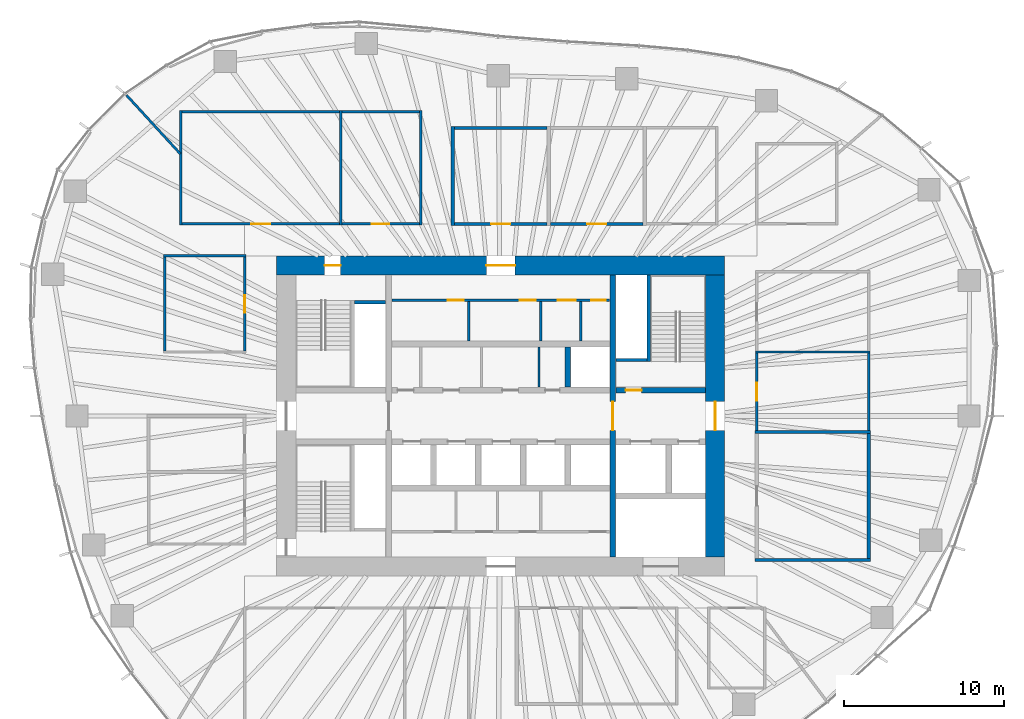
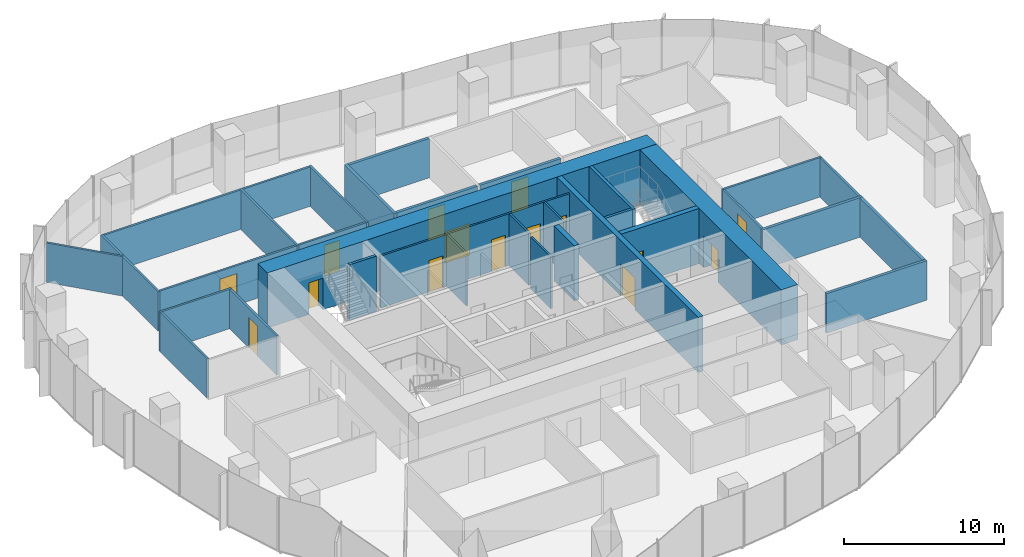
# One storey, part 10 of 18: 34 walls, 15 doors, 15 openings.
"""IFC4 building model written with IfcOpenShell, lengths in metres."""

from ifc_helpers import new_model, si_unit, direction, frame, frame_2d, origin, place, context, subcontext, project, spatial, rectangle, extrude, material, layer, layer_set, type_object, element, fill, save


model = new_model("IFC4")

# Units and contexts
model_context = context("Model", 3, precision=1e-05, world=origin(), true_north=direction((0.0, 1.0)))
body_context = subcontext(model_context, "Body", "Model", "MODEL_VIEW")
ifc_project = project(units=[si_unit("LENGTHUNIT", "METRE"), si_unit("AREAUNIT", "SQUARE_METRE"), si_unit("VOLUMEUNIT", "CUBIC_METRE"), si_unit("PLANEANGLEUNIT", "RADIAN"), si_unit("MASSUNIT", "GRAM", prefix="KILO")], contexts=[model_context])

# Site, building, storey
site_placement = place(None, origin())
site = spatial("IfcSite", under=ifc_project, at=site_placement, CompositionType="ELEMENT")
building_placement = place(site_placement, origin())
building = spatial("IfcBuilding", under=site, at=building_placement, Name="Ghaith Harvest Tower", CompositionType="ELEMENT")
storey_placement = place(building_placement, frame((0.0, 0.0, 155.39990234375)))
storey = spatial("IfcBuildingStorey", under=building, at=storey_placement, Name="L33", CompositionType="ELEMENT", Elevation=155.39990234375)

# Wall
ifc_material_1 = material(Name="Twin-stud gypsum board, acoustic", Category="gypsum")
ifc_layer_1 = layer(ifc_material_1, 0.199951171875)
ifc_layer_set_1 = layer_set([ifc_layer_1], Name="ACOUSTIC PARTITION 200")
wall_type_1 = type_object("IfcWallType", Name="ACOUSTIC PARTITION 200", PredefinedType="PARTITIONING", material=ifc_layer_set_1)
wall_1_placement = place(storey_placement, frame((-3.0, 11.89990234375, 0.0), z_axis=(0.0, 0.0, 1.0), x_axis=(0.0, 1.0, 0.0)))
element("IfcWall", 1, at=wall_1_placement, inside=storey, type_object=wall_type_1, Name="Partition L33 row N4 cross wall 1", PredefinedType="PARTITIONING", context=body_context, shape_type="SweptSolid", body=[
    extrude(rectangle(XDim=6.2001953125, YDim=0.199951171875, at=frame_2d((3.10009765625, 0.0))), origin(), (0.0, 0.0, 1.0), 3.0),
])

# Wall, opening, door
wall_2_placement = place(storey_placement, frame((-2.89990234375, 12.0, 0.0), z_axis=(0.0, 0.0, 1.0), x_axis=(1.0, 0.0, 0.0)))
wall_2 = element("IfcWall", 2, at=wall_2_placement, inside=storey, type_object=wall_type_1, Name="Partition L33-07", PredefinedType="PARTITIONING", context=body_context, shape_type="SweptSolid", body=[
    extrude(rectangle(XDim=5.7998046875, YDim=0.199951171875, at=frame_2d((2.89990234375, 0.0))), origin(), (0.0, 0.0, 1.0), 3.0),
])
opening_1_placement = place(wall_2_placement, frame((2.300048828125, 0.0, 0.0)))
opening_1 = element("IfcOpeningElement", 3, at=opening_1_placement, cuts=wall_2, Name="Opening 33-035", PredefinedType="OPENING", context=body_context, shape_type="SweptSolid", body=[
    extrude(rectangle(XDim=1.199951171875, YDim=2.39990234375, at=frame_2d((0.60009765625, 1.199951171875))), frame((0.0, 0.10986328125, 0.0), z_axis=(0.0, -1.0, 0.0), x_axis=(1.0, 0.0, 0.0)), (0.0, 0.0, 1.0), 0.219970703125),
])
ifc_material_2 = material(Name="Timber door", Category="wood")
door_type_1 = type_object("IfcDoorType", Name="D11 GLAZED 1200x2400", OperationType="SINGLE_SWING_LEFT", PredefinedType="DOOR", material=ifc_material_2)
door_1_placement = place(opening_1_placement, origin())
door_1 = element("IfcDoor", 4, at=door_1_placement, inside=storey, type_object=door_type_1, Name="Meeting room door", OperationType="SINGLE_SWING_LEFT", OverallHeight=2.39990234375, OverallWidth=1.199951171875, PredefinedType="DOOR", context=body_context, shape_type="SweptSolid", body=[
    extrude(rectangle(XDim=1.199951171875, YDim=2.39990234375, at=frame_2d((0.60009765625, 1.199951171875))), frame((0.0, 0.02490234375, 0.0), z_axis=(0.0, -1.0, 0.0), x_axis=(1.0, 0.0, 0.0)), (0.0, 0.0, 1.0), 0.050048828125),
])
fill(opening_1, door_1)

# Wall
wall_3_placement = place(storey_placement, frame((-2.89990234375, 18.0, 0.0), z_axis=(0.0, 0.0, 1.0), x_axis=(1.0, 0.0, 0.0)))
element("IfcWall", 5, at=wall_3_placement, inside=storey, type_object=wall_type_1, Name="Partition L33-07", PredefinedType="PARTITIONING", context=body_context, shape_type="SweptSolid", body=[
    extrude(rectangle(XDim=5.7998046875, YDim=0.199951171875, at=frame_2d((2.89990234375, 0.0))), origin(), (0.0, 0.0, 1.0), 3.0),
])

# Wall, opening, door
wall_4_placement = place(storey_placement, frame((3.10009765625, 12.0, 0.0), z_axis=(0.0, 0.0, 1.0), x_axis=(1.0, 0.0, 0.0)))
wall_4 = element("IfcWall", 6, at=wall_4_placement, inside=storey, type_object=wall_type_1, Name="Partition L33-08", PredefinedType="PARTITIONING", context=body_context, shape_type="SweptSolid", body=[
    extrude(rectangle(XDim=5.7998046875, YDim=0.199951171875, at=frame_2d((2.89990234375, 0.0))), origin(), (0.0, 0.0, 1.0), 3.0),
])
opening_2_placement = place(wall_4_placement, frame((2.300048828125, 0.0, 0.0)))
opening_2 = element("IfcOpeningElement", 7, at=opening_2_placement, cuts=wall_4, Name="Opening 33-036", PredefinedType="OPENING", context=body_context, shape_type="SweptSolid", body=[
    extrude(rectangle(XDim=1.199951171875, YDim=2.39990234375, at=frame_2d((0.60009765625, 1.199951171875))), frame((0.0, 0.10986328125, 0.0), z_axis=(0.0, -1.0, 0.0), x_axis=(1.0, 0.0, 0.0)), (0.0, 0.0, 1.0), 0.219970703125),
])
door_2_placement = place(opening_2_placement, origin())
door_2 = element("IfcDoor", 8, at=door_2_placement, inside=storey, type_object=door_type_1, Name="Meeting room door", OperationType="SINGLE_SWING_LEFT", OverallHeight=2.39990234375, OverallWidth=1.199951171875, PredefinedType="DOOR", context=body_context, shape_type="SweptSolid", body=[
    extrude(rectangle(XDim=1.199951171875, YDim=2.39990234375, at=frame_2d((0.60009765625, 1.199951171875))), frame((0.0, 0.02490234375, 0.0), z_axis=(0.0, -1.0, 0.0), x_axis=(1.0, 0.0, 0.0)), (0.0, 0.0, 1.0), 0.050048828125),
])
fill(opening_2, door_2)

# Walls
for number, where, z_axis, x_axis, name in (
    (9, (15.89990234375, -9.0, 0.0), (0.0, 0.0, 1.0), (1.0, 0.0, 0.0), "Partition L33 row E5 cross wall 1"),
    (10, (15.89990234375, -1.0, 0.0), (0.0, 0.0, 1.0), (1.0, 0.0, 0.0), "Partition L33 row E5 cross wall 2"),
):
    element("IfcWall", number, at=place(storey_placement, frame(where, z_axis=z_axis, x_axis=x_axis)), inside=storey, type_object=wall_type_1, Name=name, PredefinedType="PARTITIONING", context=body_context, shape_type="SweptSolid", body=[
        extrude(rectangle(XDim=7.2001953125, YDim=0.199951171875, at=frame_2d((3.60009765625, 0.0))), origin(), (0.0, 0.0, 1.0), 3.0),
    ])
wall_5_placement = place(storey_placement, frame((23.0, -8.89990234375, 0.0), z_axis=(0.0, 0.0, 1.0), x_axis=(0.0, 1.0, 0.0)))
element("IfcWall", 11, at=wall_5_placement, inside=storey, type_object=wall_type_1, Name="Partition L33-10", PredefinedType="PARTITIONING", context=body_context, shape_type="SweptSolid", body=[
    extrude(rectangle(XDim=7.7998046875, YDim=0.199951171875, at=frame_2d((3.89990234375, 0.0))), origin(), (0.0, 0.0, 1.0), 3.0),
])

# Wall, openings, doors
ifc_material_3 = material(Name="Concrete blockwork, fair-faced", Category="masonry")
ifc_layer_2 = layer(ifc_material_3, 0.139892578125)
ifc_layer_set_2 = layer_set([ifc_layer_2], Name="CORE PARTITION 140")
wall_type_2 = type_object("IfcWallType", Name="CORE PARTITION 140", PredefinedType="PARTITIONING", material=ifc_layer_set_2)
wall_6_placement = place(storey_placement, frame((-6.800048828125, 7.22998046875, 0.0), z_axis=(0.0, 0.0, 1.0), x_axis=(1.0, 0.0, 0.0)))
wall_6 = element("IfcWall", 12, at=wall_6_placement, inside=storey, type_object=wall_type_2, Name="Core partition L33", PredefinedType="PARTITIONING", context=body_context, shape_type="SweptSolid", body=[
    extrude(rectangle(XDim=13.60009765625, YDim=0.139892578125, at=frame_2d((6.800048828125, 0.0))), origin(), (0.0, 0.0, 1.0), 3.9501953125),
])
opening_3_placement = place(wall_6_placement, frame((3.47998046875, 0.0, 0.0)))
opening_3 = element("IfcOpeningElement", 13, at=opening_3_placement, cuts=wall_6, Name="Opening 33-008", PredefinedType="OPENING", context=body_context, shape_type="SweptSolid", body=[
    extrude(rectangle(XDim=1.0, YDim=2.39990234375, at=frame_2d((0.5, 1.199951171875))), frame((0.0, 0.080078125, 0.0), z_axis=(0.0, -1.0, 0.0), x_axis=(1.0, 0.0, 0.0)), (0.0, 0.0, 1.0), 0.159912109375),
])
opening_4_placement = place(wall_6_placement, frame((7.97998046875, 0.0, 0.0)))
opening_4 = element("IfcOpeningElement", 14, at=opening_4_placement, cuts=wall_6, Name="Opening 33-009", PredefinedType="OPENING", context=body_context, shape_type="SweptSolid", body=[
    extrude(rectangle(XDim=1.0, YDim=2.39990234375, at=frame_2d((0.5, 1.199951171875))), frame((0.0, 0.080078125, 0.0), z_axis=(0.0, -1.0, 0.0), x_axis=(1.0, 0.0, 0.0)), (0.0, 0.0, 1.0), 0.159912109375),
])
opening_5_placement = place(wall_6_placement, frame((10.3798828125, 0.0, 0.0)))
opening_5 = element("IfcOpeningElement", 15, at=opening_5_placement, cuts=wall_6, Name="Opening 33-010", PredefinedType="OPENING", context=body_context, shape_type="SweptSolid", body=[
    extrude(rectangle(XDim=1.10009765625, YDim=2.39990234375, at=frame_2d((0.550048828125, 1.199951171875))), frame((0.0, 0.080078125, 0.0), z_axis=(0.0, -1.0, 0.0), x_axis=(1.0, 0.0, 0.0)), (0.0, 0.0, 1.0), 0.159912109375),
])
opening_6_placement = place(wall_6_placement, frame((12.449951171875, 0.0, 0.0)))
opening_6 = element("IfcOpeningElement", 16, at=opening_6_placement, cuts=wall_6, Name="Opening 33-011", PredefinedType="OPENING", context=body_context, shape_type="SweptSolid", body=[
    extrude(rectangle(XDim=0.89990234375, YDim=2.39990234375, at=frame_2d((0.449951171875, 1.199951171875))), frame((0.0, 0.080078125, 0.0), z_axis=(0.0, -1.0, 0.0), x_axis=(1.0, 0.0, 0.0)), (0.0, 0.0, 1.0), 0.159912109375),
])
ifc_material_4 = material(Name="Steel fire door", Category="steel")
door_type_2 = type_object("IfcDoorType", Name="D3 FD90 1000x2400", OperationType="SINGLE_SWING_LEFT", PredefinedType="DOOR", material=ifc_material_4)
door_3_placement = place(opening_3_placement, origin())
door_3 = element("IfcDoor", 17, at=door_3_placement, inside=storey, type_object=door_type_2, Name="Male WC door", OperationType="SINGLE_SWING_LEFT", OverallHeight=2.39990234375, OverallWidth=1.0, PredefinedType="DOOR", context=body_context, shape_type="SweptSolid", body=[
    extrude(rectangle(XDim=1.0, YDim=2.39990234375, at=frame_2d((0.5, 1.199951171875))), frame((0.0, 0.02490234375, 0.0), z_axis=(0.0, -1.0, 0.0), x_axis=(1.0, 0.0, 0.0)), (0.0, 0.0, 1.0), 0.050048828125),
])
fill(opening_3, door_3)
door_4_placement = place(opening_4_placement, origin())
door_4 = element("IfcDoor", 18, at=door_4_placement, inside=storey, type_object=door_type_2, Name="Female WC door", OperationType="SINGLE_SWING_RIGHT", OverallHeight=2.39990234375, OverallWidth=1.0, PredefinedType="DOOR", context=body_context, shape_type="SweptSolid", body=[
    extrude(rectangle(XDim=1.0, YDim=2.39990234375, at=frame_2d((0.5, 1.199951171875))), frame((0.0, 0.02490234375, 0.0), z_axis=(0.0, -1.0, 0.0), x_axis=(1.0, 0.0, 0.0)), (0.0, 0.0, 1.0), 0.050048828125),
])
fill(opening_4, door_4)
ifc_material_5 = material(Name="Steel fire door", Category="steel")
door_type_3 = type_object("IfcDoorType", Name="D5 FD90 900x2400", OperationType="SINGLE_SWING_LEFT", PredefinedType="DOOR", material=ifc_material_5)
door_5_placement = place(opening_6_placement, origin())
door_5 = element("IfcDoor", 19, at=door_5_placement, inside=storey, type_object=door_type_3, Name="Cleaner's store door", OperationType="SINGLE_SWING_RIGHT", OverallHeight=2.39990234375, OverallWidth=0.89990234375, PredefinedType="DOOR", context=body_context, shape_type="SweptSolid", body=[
    extrude(rectangle(XDim=0.89990234375, YDim=2.39990234375, at=frame_2d((0.449951171875, 1.199951171875))), frame((0.0, 0.02490234375, 0.0), z_axis=(0.0, -1.0, 0.0), x_axis=(1.0, 0.0, 0.0)), (0.0, 0.0, 1.0), 0.050048828125),
])
fill(opening_6, door_5)
ifc_material_6 = material(Name="Steel fire door", Category="steel")
door_type_4 = type_object("IfcDoorType", Name="D9 FD90 1100x2400", OperationType="SINGLE_SWING_LEFT", PredefinedType="DOOR", material=ifc_material_6)
door_6_placement = place(opening_5_placement, origin())
door_6 = element("IfcDoor", 20, at=door_6_placement, inside=storey, type_object=door_type_4, Name="Accessible WC door", OperationType="SINGLE_SWING_RIGHT", OverallHeight=2.39990234375, OverallWidth=1.10009765625, PredefinedType="DOOR", context=body_context, shape_type="SweptSolid", body=[
    extrude(rectangle(XDim=1.10009765625, YDim=2.39990234375, at=frame_2d((0.550048828125, 1.199951171875))), frame((0.0, 0.02490234375, 0.0), z_axis=(0.0, -1.0, 0.0), x_axis=(1.0, 0.0, 0.0)), (0.0, 0.0, 1.0), 0.050048828125),
])
fill(opening_5, door_6)

# Walls
for number, where, z_axis, x_axis, name in (
    (21, (-2.0, 4.699951171875, 0.0), (0.0, 0.0, 1.0), (0.0, 1.0, 0.0), "Core partition L33"),
    (22, (2.5, 4.699951171875, 0.0), (0.0, 0.0, 1.0), (0.0, 1.0, 0.0), "Core partition L33"),
    (23, (5.0, 4.699951171875, 0.0), (0.0, 0.0, 1.0), (0.0, 1.0, 0.0), "Core partition L33"),
):
    element("IfcWall", number, at=place(storey_placement, frame(where, z_axis=z_axis, x_axis=x_axis)), inside=storey, type_object=wall_type_2, Name=name, PredefinedType="PARTITIONING", context=body_context, shape_type="SweptSolid", body=[
        extrude(rectangle(XDim=2.4599609375, YDim=0.139892578125, at=frame_2d((1.22998046875, 0.0))), origin(), (0.0, 0.0, 1.0), 3.9501953125),
    ])
wall_7_placement = place(storey_placement, frame((2.39990234375, 1.800048828125, 0.0), z_axis=(0.0, 0.0, 1.0), x_axis=(0.0, 1.0, 0.0)))
element("IfcWall", 24, at=wall_7_placement, inside=storey, type_object=wall_type_2, Name="Core partition L33", PredefinedType="PARTITIONING", context=body_context, shape_type="SweptSolid", body=[
    extrude(rectangle(XDim=2.5, YDim=0.139892578125, at=frame_2d((1.25, 0.0))), origin(), (0.0, 0.0, 1.0), 3.9501953125),
])

# Wall, openings, doors
ifc_material_7 = material(Name="Concrete C60/75", Category="concrete")
ifc_layer_3 = layer(ifc_material_7, 1.199951171875)
ifc_layer_set_3 = layer_set([ifc_layer_3], Name="CORE WALL CW1200 C60")
wall_type_3 = type_object("IfcWallType", Name="CORE WALL CW1200 C60", PredefinedType="SHEAR", material=ifc_layer_set_3)
wall_8_placement = place(storey_placement, frame((14.0, 9.39990234375, 0.0), z_axis=(0.0, 0.0, 1.0), x_axis=(-1.0, 0.0, 0.0)))
wall_8 = element("IfcWall", 25, at=wall_8_placement, inside=storey, type_object=wall_type_3, Name="Core wall N L33", PredefinedType="SHEAR", context=body_context, shape_type="SweptSolid", body=[
    extrude(rectangle(XDim=28.0, YDim=1.199951171875, at=frame_2d((14.0, 0.0))), origin(), (0.0, 0.0, 1.0), 4.2001953125),
])
opening_7_placement = place(wall_8_placement, frame((24.0, 0.0, 0.0)))
opening_7 = element("IfcOpeningElement", 26, at=opening_7_placement, cuts=wall_8, Name="Opening 33-005", PredefinedType="OPENING", context=body_context, shape_type="SweptSolid", body=[
    extrude(rectangle(XDim=1.0, YDim=2.39990234375, at=frame_2d((0.5, 1.199951171875))), frame((0.0, 0.60986328125, 0.0), z_axis=(0.0, -1.0, 0.0), x_axis=(1.0, 0.0, 0.0)), (0.0, 0.0, 1.0), 1.219970703125),
])
opening_8_placement = place(wall_8_placement, frame((13.10009765625, 0.0, 0.0)))
opening_8 = element("IfcOpeningElement", 27, at=opening_8_placement, cuts=wall_8, Name="Opening 33-020", PredefinedType="OPENING", context=body_context, shape_type="SweptSolid", body=[
    extrude(rectangle(XDim=1.800048828125, YDim=2.39990234375, at=frame_2d((0.89990234375, 1.199951171875))), frame((0.0, 0.60986328125, 0.0), z_axis=(0.0, -1.0, 0.0), x_axis=(1.0, 0.0, 0.0)), (0.0, 0.0, 1.0), 1.219970703125),
])
door_7_placement = place(opening_7_placement, origin())
door_7 = element("IfcDoor", 28, at=door_7_placement, inside=storey, type_object=door_type_2, Name="Stair ST1 door", OperationType="SINGLE_SWING_RIGHT", OverallHeight=2.39990234375, OverallWidth=1.0, PredefinedType="DOOR", context=body_context, shape_type="SweptSolid", body=[
    extrude(rectangle(XDim=1.0, YDim=2.39990234375, at=frame_2d((0.5, 1.199951171875))), frame((0.0, 0.02490234375, 0.0), z_axis=(0.0, -1.0, 0.0), x_axis=(1.0, 0.0, 0.0)), (0.0, 0.0, 1.0), 0.050048828125),
])
fill(opening_7, door_7)
ifc_material_8 = material(Name="Steel fire door", Category="steel")
door_type_5 = type_object("IfcDoorType", Name="D4 FD90 PAIR 1800x2400", OperationType="DOUBLE_DOOR_SINGLE_SWING", PredefinedType="DOOR", material=ifc_material_8)
door_8_placement = place(opening_8_placement, origin())
door_8 = element("IfcDoor", 29, at=door_8_placement, inside=storey, type_object=door_type_5, Name="Core service corridor doors", OperationType="DOUBLE_DOOR_SINGLE_SWING", OverallHeight=2.39990234375, OverallWidth=1.800048828125, PredefinedType="DOOR", context=body_context, shape_type="SweptSolid", body=[
    extrude(rectangle(XDim=1.800048828125, YDim=2.39990234375, at=frame_2d((0.89990234375, 1.199951171875))), frame((0.0, 0.02490234375, 0.0), z_axis=(0.0, -1.0, 0.0), x_axis=(1.0, 0.0, 0.0)), (0.0, 0.0, 1.0), 0.050048828125),
])
fill(opening_8, door_8)

# Wall, opening, door
wall_9_placement = place(storey_placement, frame((13.39990234375, -8.800048828125, 0.0), z_axis=(0.0, 0.0, 1.0), x_axis=(0.0, 1.0, 0.0)))
wall_9 = element("IfcWall", 30, at=wall_9_placement, inside=storey, type_object=wall_type_3, Name="Core wall E L33", PredefinedType="SHEAR", context=body_context, shape_type="SweptSolid", body=[
    extrude(rectangle(XDim=17.60009765625, YDim=1.199951171875, at=frame_2d((8.800048828125, 0.0))), origin(), (0.0, 0.0, 1.0), 4.2001953125),
])
opening_9_placement = place(wall_9_placement, frame((7.89990234375, 0.0, 0.0)))
opening_9 = element("IfcOpeningElement", 31, at=opening_9_placement, cuts=wall_9, Name="Opening 33-002", PredefinedType="OPENING", context=body_context, shape_type="SweptSolid", body=[
    extrude(rectangle(XDim=1.800048828125, YDim=2.39990234375, at=frame_2d((0.89990234375, 1.199951171875))), frame((0.0, 0.60986328125, 0.0), z_axis=(0.0, -1.0, 0.0), x_axis=(1.0, 0.0, 0.0)), (0.0, 0.0, 1.0), 1.219970703125),
])
door_9_placement = place(opening_9_placement, origin())
door_9 = element("IfcDoor", 32, at=door_9_placement, inside=storey, type_object=door_type_5, Name="Fire-fighting lobby doors", OperationType="DOUBLE_DOOR_SINGLE_SWING", OverallHeight=2.39990234375, OverallWidth=1.800048828125, PredefinedType="DOOR", context=body_context, shape_type="SweptSolid", body=[
    extrude(rectangle(XDim=1.800048828125, YDim=2.39990234375, at=frame_2d((0.89990234375, 1.199951171875))), frame((0.0, 0.02490234375, 0.0), z_axis=(0.0, -1.0, 0.0), x_axis=(1.0, 0.0, 0.0)), (0.0, 0.0, 1.0), 0.050048828125),
])
fill(opening_9, door_9)

# Walls
ifc_material_9 = material(Name="Gypsum board on steel studs", Category="steel")
ifc_layer_4 = layer(ifc_material_9, 0.14990234375)
ifc_layer_set_4 = layer_set([ifc_layer_4], Name="PARTITION 150")
wall_type_4 = type_object("IfcWallType", Name="PARTITION 150", PredefinedType="PARTITIONING", material=ifc_layer_set_4)
for number, where, z_axis, x_axis, name in (
    (33, (-20.0, 11.925048828125, 0.0), (0.0, 0.0, 1.0), (0.0, 1.0, 0.0), "Partition L33 row N3 cross wall 1"),
    (34, (-10.0, 11.925048828125, 0.0), (0.0, 0.0, 1.0), (0.0, 1.0, 0.0), "Partition L33 row N3 cross wall 2"),
    (35, (-5.0, 11.925048828125, 0.0), (0.0, 0.0, 1.0), (0.0, 1.0, 0.0), "Partition L33 row N3 cross wall 3"),
):
    element("IfcWall", number, at=place(storey_placement, frame(where, z_axis=z_axis, x_axis=x_axis)), inside=storey, type_object=wall_type_4, Name=name, PredefinedType="PARTITIONING", context=body_context, shape_type="SweptSolid", body=[
        extrude(rectangle(XDim=7.14990234375, YDim=0.14990234375, at=frame_2d((3.574951171875, 0.0))), origin(), (0.0, 0.0, 1.0), 3.0),
    ])

# Wall, opening, door
wall_10_placement = place(storey_placement, frame((-19.925048828125, 12.0, 0.0), z_axis=(0.0, 0.0, 1.0), x_axis=(1.0, 0.0, 0.0)))
wall_10 = element("IfcWall", 36, at=wall_10_placement, inside=storey, type_object=wall_type_4, Name="Partition L33-05", PredefinedType="PARTITIONING", context=body_context, shape_type="SweptSolid", body=[
    extrude(rectangle(XDim=9.85009765625, YDim=0.14990234375, at=frame_2d((4.925048828125, 0.0))), origin(), (0.0, 0.0, 1.0), 3.0),
])
opening_10_placement = place(wall_10_placement, frame((4.324951171875, 0.0, 0.0)))
opening_10 = element("IfcOpeningElement", 37, at=opening_10_placement, cuts=wall_10, Name="Opening 33-033", PredefinedType="OPENING", context=body_context, shape_type="SweptSolid", body=[
    extrude(rectangle(XDim=1.199951171875, YDim=2.39990234375, at=frame_2d((0.60009765625, 1.199951171875))), frame((0.0, 0.0849609375, 0.0), z_axis=(0.0, -1.0, 0.0), x_axis=(1.0, 0.0, 0.0)), (0.0, 0.0, 1.0), 0.169921875),
])
door_10_placement = place(opening_10_placement, origin())
door_10 = element("IfcDoor", 38, at=door_10_placement, inside=storey, type_object=door_type_1, Name="Design studio door", OperationType="SINGLE_SWING_LEFT", OverallHeight=2.39990234375, OverallWidth=1.199951171875, PredefinedType="DOOR", context=body_context, shape_type="SweptSolid", body=[
    extrude(rectangle(XDim=1.199951171875, YDim=2.39990234375, at=frame_2d((0.60009765625, 1.199951171875))), frame((0.0, 0.02490234375, 0.0), z_axis=(0.0, -1.0, 0.0), x_axis=(1.0, 0.0, 0.0)), (0.0, 0.0, 1.0), 0.050048828125),
])
fill(opening_10, door_10)

# Wall
wall_11_placement = place(storey_placement, frame((-19.925048828125, 19.0, 0.0), z_axis=(0.0, 0.0, 1.0), x_axis=(1.0, 0.0, 0.0)))
element("IfcWall", 39, at=wall_11_placement, inside=storey, type_object=wall_type_4, Name="Partition L33-05", PredefinedType="PARTITIONING", context=body_context, shape_type="SweptSolid", body=[
    extrude(rectangle(XDim=9.85009765625, YDim=0.14990234375, at=frame_2d((4.925048828125, 0.0))), origin(), (0.0, 0.0, 1.0), 3.0),
])

# Wall, opening, door
wall_12_placement = place(storey_placement, frame((-9.925048828125, 12.0, 0.0), z_axis=(0.0, 0.0, 1.0), x_axis=(1.0, 0.0, 0.0)))
wall_12 = element("IfcWall", 40, at=wall_12_placement, inside=storey, type_object=wall_type_4, Name="Partition L33-06", PredefinedType="PARTITIONING", context=body_context, shape_type="SweptSolid", body=[
    extrude(rectangle(XDim=4.85009765625, YDim=0.14990234375, at=frame_2d((2.425048828125, 0.0))), origin(), (0.0, 0.0, 1.0), 3.0),
])
opening_11_placement = place(wall_12_placement, frame((1.875, 0.0, 0.0)))
opening_11 = element("IfcOpeningElement", 41, at=opening_11_placement, cuts=wall_12, Name="Opening 33-034", PredefinedType="OPENING", context=body_context, shape_type="SweptSolid", body=[
    extrude(rectangle(XDim=1.10009765625, YDim=2.300048828125, at=frame_2d((0.550048828125, 1.14990234375))), frame((0.0, 0.0849609375, 0.0), z_axis=(0.0, -1.0, 0.0), x_axis=(1.0, 0.0, 0.0)), (0.0, 0.0, 1.0), 0.169921875),
])
ifc_material_10 = material(Name="Timber-framed glazed door", Category="wood")
door_type_6 = type_object("IfcDoorType", Name="D12 GLAZED OFFICE 1100x2300", OperationType="SINGLE_SWING_LEFT", PredefinedType="DOOR", material=ifc_material_10)
door_11_placement = place(opening_11_placement, origin())
door_11 = element("IfcDoor", 42, at=door_11_placement, inside=storey, type_object=door_type_6, Name="Office door", OperationType="SINGLE_SWING_LEFT", OverallHeight=2.300048828125, OverallWidth=1.10009765625, PredefinedType="DOOR", context=body_context, shape_type="SweptSolid", body=[
    extrude(rectangle(XDim=1.10009765625, YDim=2.300048828125, at=frame_2d((0.550048828125, 1.14990234375))), frame((0.0, 0.02490234375, 0.0), z_axis=(0.0, -1.0, 0.0), x_axis=(1.0, 0.0, 0.0)), (0.0, 0.0, 1.0), 0.050048828125),
])
fill(opening_11, door_11)

# Walls
wall_13_placement = place(storey_placement, frame((-9.925048828125, 19.0, 0.0), z_axis=(0.0, 0.0, 1.0), x_axis=(1.0, 0.0, 0.0)))
element("IfcWall", 43, at=wall_13_placement, inside=storey, type_object=wall_type_4, Name="Partition L33-06", PredefinedType="PARTITIONING", context=body_context, shape_type="SweptSolid", body=[
    extrude(rectangle(XDim=4.85009765625, YDim=0.14990234375, at=frame_2d((2.425048828125, 0.0))), origin(), (0.0, 0.0, 1.0), 3.0),
])
wall_14_placement = place(storey_placement, frame((15.925048828125, 4.0, 0.0), z_axis=(0.0, 0.0, 1.0), x_axis=(1.0, 0.0, 0.0)))
element("IfcWall", 44, at=wall_14_placement, inside=storey, type_object=wall_type_4, Name="Partition L33 row E5 cross wall 3", PredefinedType="PARTITIONING", context=body_context, shape_type="SweptSolid", body=[
    extrude(rectangle(XDim=7.14990234375, YDim=0.14990234375, at=frame_2d((3.574951171875, 0.0))), origin(), (0.0, 0.0, 1.0), 3.0),
])

# Wall, opening, door
wall_15_placement = place(storey_placement, frame((16.0, -0.89990234375, 0.0), z_axis=(0.0, 0.0, 1.0), x_axis=(0.0, 1.0, 0.0)))
wall_15 = element("IfcWall", 45, at=wall_15_placement, inside=storey, type_object=wall_type_4, Name="Partition L33-11", PredefinedType="PARTITIONING", context=body_context, shape_type="SweptSolid", body=[
    extrude(rectangle(XDim=4.824951171875, YDim=0.14990234375, at=frame_2d((2.41259765625, 0.0))), origin(), (0.0, 0.0, 1.0), 3.0),
])
opening_12_placement = place(wall_15_placement, frame((1.862548828125, 0.0, 0.0)))
opening_12 = element("IfcOpeningElement", 46, at=opening_12_placement, cuts=wall_15, Name="Opening 33-039", PredefinedType="OPENING", context=body_context, shape_type="SweptSolid", body=[
    extrude(rectangle(XDim=1.10009765625, YDim=2.300048828125, at=frame_2d((0.550048828125, 1.14990234375))), frame((0.0, 0.0849609375, 0.0), z_axis=(0.0, -1.0, 0.0), x_axis=(1.0, 0.0, 0.0)), (0.0, 0.0, 1.0), 0.169921875),
])
door_12_placement = place(opening_12_placement, origin())
door_12 = element("IfcDoor", 47, at=door_12_placement, inside=storey, type_object=door_type_6, Name="Office door", OperationType="SINGLE_SWING_LEFT", OverallHeight=2.300048828125, OverallWidth=1.10009765625, PredefinedType="DOOR", context=body_context, shape_type="SweptSolid", body=[
    extrude(rectangle(XDim=1.10009765625, YDim=2.300048828125, at=frame_2d((0.550048828125, 1.14990234375))), frame((0.0, 0.02490234375, 0.0), z_axis=(0.0, -1.0, 0.0), x_axis=(1.0, 0.0, 0.0)), (0.0, 0.0, 1.0), 0.050048828125),
])
fill(opening_12, door_12)

# Walls
wall_16_placement = place(storey_placement, frame((23.0, -0.89990234375, 0.0), z_axis=(0.0, 0.0, 1.0), x_axis=(0.0, 1.0, 0.0)))
element("IfcWall", 48, at=wall_16_placement, inside=storey, type_object=wall_type_4, Name="Partition L33-11", PredefinedType="PARTITIONING", context=body_context, shape_type="SweptSolid", body=[
    extrude(rectangle(XDim=4.824951171875, YDim=0.14990234375, at=frame_2d((2.41259765625, 0.0))), origin(), (0.0, 0.0, 1.0), 3.0),
])
wall_17_placement = place(storey_placement, frame((-15.925048828125, 10.0, 0.0), z_axis=(0.0, 0.0, 1.0), x_axis=(-1.0, 0.0, 0.0)))
element("IfcWall", 49, at=wall_17_placement, inside=storey, type_object=wall_type_4, Name="Partition L33 row W9 cross wall 2", PredefinedType="PARTITIONING", context=body_context, shape_type="SweptSolid", body=[
    extrude(rectangle(XDim=5.14990234375, YDim=0.14990234375, at=frame_2d((2.574951171875, 0.0))), origin(), (0.0, 0.0, 1.0), 3.0),
])

# Wall, opening, door
wall_18_placement = place(storey_placement, frame((-16.0, 4.074951171875, 0.0), z_axis=(0.0, 0.0, 1.0), x_axis=(0.0, 1.0, 0.0)))
wall_18 = element("IfcWall", 50, at=wall_18_placement, inside=storey, type_object=wall_type_4, Name="Partition L33-17", PredefinedType="PARTITIONING", context=body_context, shape_type="SweptSolid", body=[
    extrude(rectangle(XDim=5.85009765625, YDim=0.14990234375, at=frame_2d((2.925048828125, 0.0))), origin(), (0.0, 0.0, 1.0), 3.0),
])
opening_13_placement = place(wall_18_placement, frame((2.375, 0.0, 0.0)))
opening_13 = element("IfcOpeningElement", 51, at=opening_13_placement, cuts=wall_18, Name="Opening 33-045", PredefinedType="OPENING", context=body_context, shape_type="SweptSolid", body=[
    extrude(rectangle(XDim=1.10009765625, YDim=2.300048828125, at=frame_2d((0.550048828125, 1.14990234375))), frame((0.0, 0.0849609375, 0.0), z_axis=(0.0, -1.0, 0.0), x_axis=(1.0, 0.0, 0.0)), (0.0, 0.0, 1.0), 0.169921875),
])
door_13_placement = place(opening_13_placement, origin())
door_13 = element("IfcDoor", 52, at=door_13_placement, inside=storey, type_object=door_type_6, Name="Office door", OperationType="SINGLE_SWING_LEFT", OverallHeight=2.300048828125, OverallWidth=1.10009765625, PredefinedType="DOOR", context=body_context, shape_type="SweptSolid", body=[
    extrude(rectangle(XDim=1.10009765625, YDim=2.300048828125, at=frame_2d((0.550048828125, 1.14990234375))), frame((0.0, 0.02490234375, 0.0), z_axis=(0.0, -1.0, 0.0), x_axis=(1.0, 0.0, 0.0)), (0.0, 0.0, 1.0), 0.050048828125),
])
fill(opening_13, door_13)

# Walls
wall_19_placement = place(storey_placement, frame((-21.0, 4.074951171875, 0.0), z_axis=(0.0, 0.0, 1.0), x_axis=(0.0, 1.0, 0.0)))
element("IfcWall", 53, at=wall_19_placement, inside=storey, type_object=wall_type_4, Name="Partition L33-17", PredefinedType="PARTITIONING", context=body_context, shape_type="SweptSolid", body=[
    extrude(rectangle(XDim=5.85009765625, YDim=0.14990234375, at=frame_2d((2.925048828125, 0.0))), origin(), (0.0, 0.0, 1.0), 3.0),
])
wall_20_placement = place(storey_placement, frame((-20.02001953125, 16.380126953125, 0.0), z_axis=(0.0, 0.0, 1.0), x_axis=(-0.676159982548, 0.736754828963, 0.0)))
element("IfcWall", 54, at=wall_20_placement, inside=storey, type_object=wall_type_4, Name="Partition L33 zone division", PredefinedType="PARTITIONING", context=body_context, shape_type="SweptSolid", body=[
    extrude(rectangle(XDim=4.975830078125, YDim=0.14990234375, at=frame_2d((2.48779296875, 0.0))), origin(), (0.0, 0.0, 1.0), 3.0),
])

# Wall, opening, door
ifc_material_11 = material(Name="Concrete C60/75", Category="concrete")
ifc_layer_5 = layer(ifc_material_11, 0.35009765625)
ifc_layer_set_5 = layer_set([ifc_layer_5], Name="SHAFT WALL 350")
wall_type_5 = type_object("IfcWallType", Name="SHAFT WALL 350", PredefinedType="SHEAR", material=ifc_layer_set_5)
wall_21_placement = place(storey_placement, frame((7.0, -8.800048828125, 0.0), z_axis=(0.0, 0.0, 1.0), x_axis=(0.0, 1.0, 0.0)))
wall_21 = element("IfcWall", 55, at=wall_21_placement, inside=storey, type_object=wall_type_5, Name="Shaft wall W7E L33", PredefinedType="SHEAR", context=body_context, shape_type="SweptSolid", body=[
    extrude(rectangle(XDim=17.60009765625, YDim=0.35009765625, at=frame_2d((8.800048828125, 0.0))), origin(), (0.0, 0.0, 1.0), 4.2001953125),
])
opening_14_placement = place(wall_21_placement, frame((7.89990234375, 0.0, 0.0)))
opening_14 = element("IfcOpeningElement", 56, at=opening_14_placement, cuts=wall_21, Name="Opening 33-004", PredefinedType="OPENING", context=body_context, shape_type="SweptSolid", body=[
    extrude(rectangle(XDim=1.800048828125, YDim=2.39990234375, at=frame_2d((0.89990234375, 1.199951171875))), frame((0.0, 0.18505859375, 0.0), z_axis=(0.0, -1.0, 0.0), x_axis=(1.0, 0.0, 0.0)), (0.0, 0.0, 1.0), 0.3701171875),
])
door_14_placement = place(opening_14_placement, origin())
door_14 = element("IfcDoor", 57, at=door_14_placement, inside=storey, type_object=door_type_5, Name="Lift lobby doors, east", OperationType="DOUBLE_DOOR_SINGLE_SWING", OverallHeight=2.39990234375, OverallWidth=1.800048828125, PredefinedType="DOOR", context=body_context, shape_type="SweptSolid", body=[
    extrude(rectangle(XDim=1.800048828125, YDim=2.39990234375, at=frame_2d((0.89990234375, 1.199951171875))), frame((0.0, 0.02490234375, 0.0), z_axis=(0.0, -1.0, 0.0), x_axis=(1.0, 0.0, 0.0)), (0.0, 0.0, 1.0), 0.050048828125),
])
fill(opening_14, door_14)

wall_22_placement = place(storey_placement, frame((7.199951171875, 1.60009765625, 0.0), z_axis=(0.0, 0.0, 1.0), x_axis=(1.0, 0.0, 0.0)))
wall_22 = element("IfcWall", 58, at=wall_22_placement, inside=storey, type_object=wall_type_5, Name="Shaft wall EN L33", PredefinedType="SHEAR", context=body_context, shape_type="SweptSolid", body=[
    extrude(rectangle(XDim=5.60009765625, YDim=0.35009765625, at=frame_2d((2.800048828125, 0.0))), origin(), (0.0, 0.0, 1.0), 4.2001953125),
])
opening_15_placement = place(wall_22_placement, frame((0.60009765625, 0.0, 0.0)))
opening_15 = element("IfcOpeningElement", 59, at=opening_15_placement, cuts=wall_22, Name="Opening 33-007", PredefinedType="OPENING", context=body_context, shape_type="SweptSolid", body=[
    extrude(rectangle(XDim=1.0, YDim=2.39990234375, at=frame_2d((0.5, 1.199951171875))), frame((0.0, 0.18505859375, 0.0), z_axis=(0.0, -1.0, 0.0), x_axis=(1.0, 0.0, 0.0)), (0.0, 0.0, 1.0), 0.3701171875),
])
door_15_placement = place(opening_15_placement, origin())
door_15 = element("IfcDoor", 60, at=door_15_placement, inside=storey, type_object=door_type_2, Name="Stair ST2 door", OperationType="SINGLE_SWING_LEFT", OverallHeight=2.39990234375, OverallWidth=1.0, PredefinedType="DOOR", context=body_context, shape_type="SweptSolid", body=[
    extrude(rectangle(XDim=1.0, YDim=2.39990234375, at=frame_2d((0.5, 1.199951171875))), frame((0.0, 0.02490234375, 0.0), z_axis=(0.0, -1.0, 0.0), x_axis=(1.0, 0.0, 0.0)), (0.0, 0.0, 1.0), 0.050048828125),
])
fill(opening_15, door_15)

# Walls
wall_23_placement = place(storey_placement, frame((4.199951171875, 1.800048828125, 0.0), z_axis=(0.0, 0.0, 1.0), x_axis=(0.0, 1.0, 0.0)))
element("IfcWall", 61, at=wall_23_placement, inside=storey, type_object=wall_type_5, Name="Shaft wall DN4 L33", PredefinedType="SHEAR", context=body_context, shape_type="SweptSolid", body=[
    extrude(rectangle(XDim=2.5, YDim=0.35009765625, at=frame_2d((1.25, 0.0))), origin(), (0.0, 0.0, 1.0), 4.2001953125),
])
ifc_material_12 = material(Name="Concrete C40/50", Category="concrete")
ifc_layer_6 = layer(ifc_material_12, 0.199951171875)
ifc_layer_set_6 = layer_set([ifc_layer_6], Name="STAIR SPINE WALL RC200")
wall_type_6 = type_object("IfcWallType", Name="STAIR SPINE WALL RC200", PredefinedType="SOLIDWALL", material=ifc_layer_set_6)
wall_24_placement = place(storey_placement, frame((-9.14990234375, 7.10009765625, 0.0), z_axis=(0.0, 0.0, 1.0), x_axis=(1.0, 0.0, 0.0)))
element("IfcWall", 62, at=wall_24_placement, inside=storey, type_object=wall_type_6, Name="Stair ST1 spine wall return L33", PredefinedType="SOLIDWALL", context=body_context, shape_type="SweptSolid", body=[
    extrude(rectangle(XDim=1.949951171875, YDim=0.199951171875, at=frame_2d((0.97509765625, 0.0))), origin(), (0.0, 0.0, 1.0), 4.2001953125),
])
wall_25_placement = place(storey_placement, frame((9.25, 3.39990234375, 0.0), z_axis=(0.0, 0.0, 1.0), x_axis=(0.0, 1.0, 0.0)))
element("IfcWall", 63, at=wall_25_placement, inside=storey, type_object=wall_type_6, Name="Stair ST2 spine wall L33", PredefinedType="SOLIDWALL", context=body_context, shape_type="SweptSolid", body=[
    extrude(rectangle(XDim=5.400146484375, YDim=0.199951171875, at=frame_2d((2.7001953125, 0.0))), origin(), (0.0, 0.0, 1.0), 4.2001953125),
])
wall_26_placement = place(storey_placement, frame((9.14990234375, 3.5, 0.0), z_axis=(0.0, 0.0, 1.0), x_axis=(-1.0, 0.0, 0.0)))
element("IfcWall", 64, at=wall_26_placement, inside=storey, type_object=wall_type_6, Name="Stair ST2 spine wall return L33", PredefinedType="SOLIDWALL", context=body_context, shape_type="SweptSolid", body=[
    extrude(rectangle(XDim=1.949951171875, YDim=0.199951171875, at=frame_2d((0.97509765625, 0.0))), origin(), (0.0, 0.0, 1.0), 4.2001953125),
])

save(model, "model.ifc")
